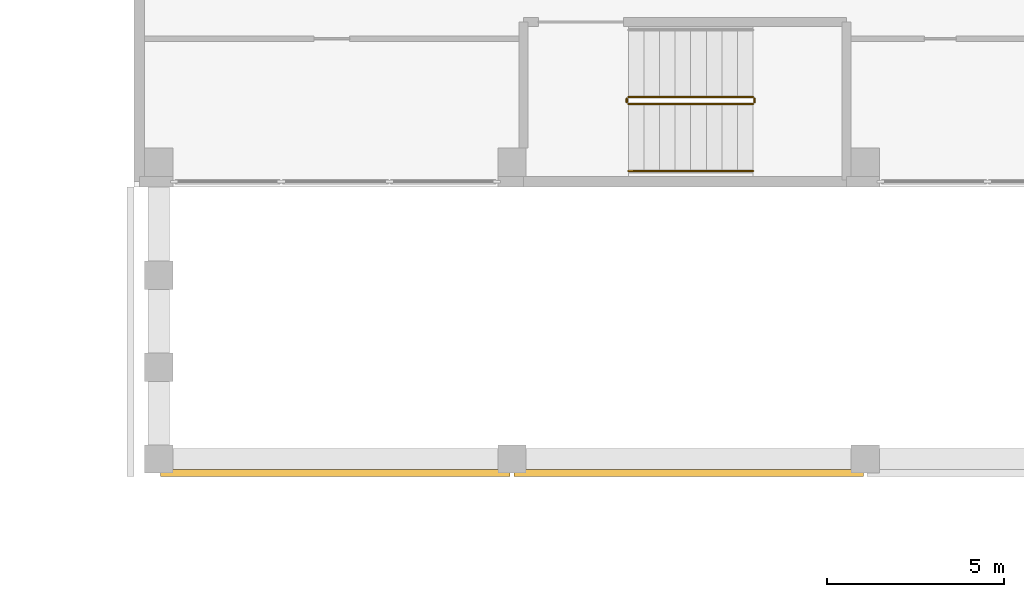
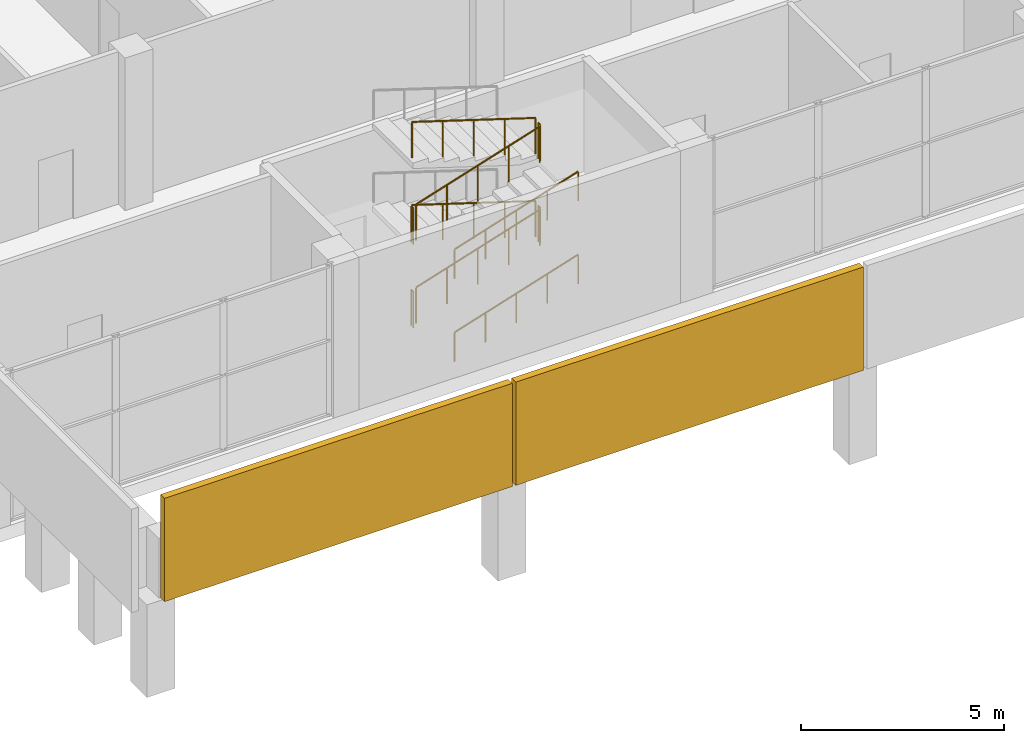
# One storey, part 29 of 36: 10 railings, 2 coverings.
"""IFC4 building model written with IfcOpenShell, lengths in metres."""

from ifc_helpers import new_model, si_unit, direction, frame, origin, origin_2d, place, context, subcontext, project, spatial, rectangle, circle, extrude, material, layer, layer_set, type_object, element, save


model = new_model("IFC4")

# Units and contexts
model_context = context("Model", 3, precision=1e-05, world=origin(), true_north=direction((0.0, 1.0)))
body_context = subcontext(model_context, "Body", "Model", "MODEL_VIEW")
ifc_project = project(units=[si_unit("LENGTHUNIT", "METRE"), si_unit("AREAUNIT", "SQUARE_METRE"), si_unit("VOLUMEUNIT", "CUBIC_METRE"), si_unit("PLANEANGLEUNIT", "RADIAN"), si_unit("MASSUNIT", "GRAM", prefix="KILO")], contexts=[model_context])

# Site, building, storey
site_placement = place(None, origin())
site = spatial("IfcSite", under=ifc_project, at=site_placement, CompositionType="ELEMENT")
building_placement = place(site_placement, origin())
building = spatial("IfcBuilding", under=site, at=building_placement, Name="Jabali Bay Hotel Tower and Convention Centre", CompositionType="ELEMENT")
storey_placement = place(building_placement, frame((0.0, 0.0, 20.39990234375)))
storey = spatial("IfcBuildingStorey", under=building, at=storey_placement, Name="L03", CompositionType="ELEMENT", Elevation=20.39990234375)

# Coverings
ifc_material_1 = material(Name="Precast concrete C40/50", Category="concrete")
ifc_layer = layer(ifc_material_1, 0.199951171875)
ifc_layer_set = layer_set([ifc_layer], Name="Precast concrete C40/50")
covering_type = type_object("IfcCoveringType", Name="CC South roof rim panel", PredefinedType="CLADDING", material=ifc_layer_set)
for number, where, z_axis, x_axis, name in (
    (1, (155.699951171875, 41.199951171875, 2.7900390625), (0.0, 0.0, 1.0), (1.0, 0.0, 0.0), "CC south roof rim 1"),
    (2, (165.699951171875, 41.199951171875, 2.7900390625), (0.0, 0.0, 1.0), (1.0, 0.0, 0.0), "CC south roof rim 2"),
):
    element("IfcCovering", number, at=place(storey_placement, frame(where, z_axis=z_axis, x_axis=x_axis)), inside=storey, type_object=covering_type, Name=name, PredefinedType="CLADDING", context=body_context, shape_type="SweptSolid", body=[
        extrude(rectangle(XDim=9.89990234375, YDim=0.199951171875, at=origin_2d()), origin(), (0.0, 0.0, 1.0), 3.110107421875),
    ])

# Railings
ifc_material_2 = material(Name="Stainless steel 304", Category="steel")
railing_type_1 = type_object("IfcRailingType", Name="CC Stair Guard 1100", PredefinedType="GUARDRAIL", material=ifc_material_2)
railing_1_placement = place(storey_placement, frame((164.0, 51.64990234375, 0.138916015625)))
element("IfcRailing", 3, at=railing_1_placement, inside=storey, type_object=railing_type_1, Name="L03 CC-STS1 stair guard 1", PredefinedType="GUARDRAIL", context=body_context, shape_type="SweptSolid", body=[
    extrude(circle(Radius=0.02392578125, at=origin_2d()), frame((0.0, 0.0, 1.076171875), z_axis=(0.953621642043, 0.0, 0.301007913229), x_axis=(0.0, 1.0, 0.0)), (0.0, 0.0, 1.0), 3.691162109375),
    extrude(circle(Radius=0.02099609375, at=origin_2d()), origin(), (0.0, 0.0, 1.0), 1.052001953125),
    extrude(circle(Radius=0.02099609375, at=origin_2d()), frame((0.8798828125, 0.0, 0.27783203125)), (0.0, 0.0, 1.0), 1.052001953125),
    extrude(circle(Radius=0.02099609375, at=origin_2d()), frame((1.760009765625, 0.0, 0.5556640625)), (0.0, 0.0, 1.0), 1.052001953125),
    extrude(circle(Radius=0.02099609375, at=origin_2d()), frame((2.64013671875, 0.0, 0.833251953125)), (0.0, 0.0, 1.0), 1.052001953125),
    extrude(circle(Radius=0.02099609375, at=origin_2d()), frame((3.52001953125, 0.0, 1.111083984375)), (0.0, 0.0, 1.0), 1.052001953125),
])
railing_2_placement = place(storey_placement, frame((167.570068359375, 51.699951171875, 1.25)))
element("IfcRailing", 4, at=railing_2_placement, inside=storey, type_object=railing_type_1, Name="L03 CC-STS1 stair guard 2", PredefinedType="GUARDRAIL", context=body_context, shape_type="SweptSolid", body=[
    extrude(circle(Radius=0.02392578125, at=origin_2d()), frame((0.0, 0.0, 1.076171875), z_axis=(0.0, 1.0, 0.0), x_axis=(-1.0, 0.0, 0.0)), (0.0, 0.0, 1.0), 0.10009765625),
    extrude(circle(Radius=0.02099609375, at=origin_2d()), origin(), (0.0, 0.0, 1.0), 1.052001953125),
    extrude(circle(Radius=0.02099609375, at=origin_2d()), frame((0.0, 0.10009765625, 0.0)), (0.0, 0.0, 1.0), 1.052001953125),
])
railing_3_placement = place(storey_placement, frame((167.52001953125, 51.85009765625, 1.388916015625)))
element("IfcRailing", 5, at=railing_3_placement, inside=storey, type_object=railing_type_1, Name="L03 CC-STS1 stair guard 3", PredefinedType="GUARDRAIL", context=body_context, shape_type="SweptSolid", body=[
    extrude(circle(Radius=0.02392578125, at=origin_2d()), frame((0.0, 0.0, 1.076171875), z_axis=(-0.953621642043, 0.0, 0.301007913229), x_axis=(0.0, -1.0, 0.0)), (0.0, 0.0, 1.0), 3.691162109375),
    extrude(circle(Radius=0.02099609375, at=origin_2d()), origin(), (0.0, 0.0, 1.0), 1.052001953125),
    extrude(circle(Radius=0.02099609375, at=origin_2d()), frame((-0.8798828125, 0.0, 0.27783203125)), (0.0, 0.0, 1.0), 1.052001953125),
    extrude(circle(Radius=0.02099609375, at=origin_2d()), frame((-1.760009765625, 0.0, 0.5556640625)), (0.0, 0.0, 1.0), 1.052001953125),
    extrude(circle(Radius=0.02099609375, at=origin_2d()), frame((-2.64013671875, 0.0, 0.833251953125)), (0.0, 0.0, 1.0), 1.052001953125),
    extrude(circle(Radius=0.02099609375, at=origin_2d()), frame((-3.52001953125, 0.0, 1.111083984375)), (0.0, 0.0, 1.0), 1.052001953125),
])
railing_4_placement = place(storey_placement, frame((163.949951171875, 51.699951171875, 2.5)))
element("IfcRailing", 6, at=railing_4_placement, inside=storey, type_object=railing_type_1, Name="L03 CC-STS1 stair guard 4", PredefinedType="GUARDRAIL", context=body_context, shape_type="SweptSolid", body=[
    extrude(circle(Radius=0.02392578125, at=origin_2d()), frame((0.0, 0.0, 1.076171875), z_axis=(0.0, 1.0, 0.0), x_axis=(-1.0, 0.0, 0.0)), (0.0, 0.0, 1.0), 0.10009765625),
    extrude(circle(Radius=0.02099609375, at=origin_2d()), origin(), (0.0, 0.0, 1.0), 1.052001953125),
    extrude(circle(Radius=0.02099609375, at=origin_2d()), frame((0.0, 0.10009765625, 0.0)), (0.0, 0.0, 1.0), 1.052001953125),
])
railing_5_placement = place(storey_placement, frame((164.0, 51.64990234375, 2.638916015625)))
element("IfcRailing", 7, at=railing_5_placement, inside=storey, type_object=railing_type_1, Name="L03 CC-STS1 stair guard 5", PredefinedType="GUARDRAIL", context=body_context, shape_type="SweptSolid", body=[
    extrude(circle(Radius=0.02392578125, at=origin_2d()), frame((0.0, 0.0, 1.076171875), z_axis=(0.953621642043, 0.0, 0.301007913229), x_axis=(0.0, 1.0, 0.0)), (0.0, 0.0, 1.0), 3.691162109375),
    extrude(circle(Radius=0.02099609375, at=origin_2d()), origin(), (0.0, 0.0, 1.0), 1.052001953125),
    extrude(circle(Radius=0.02099609375, at=origin_2d()), frame((0.8798828125, 0.0, 0.27783203125)), (0.0, 0.0, 1.0), 1.052001953125),
    extrude(circle(Radius=0.02099609375, at=origin_2d()), frame((1.760009765625, 0.0, 0.5556640625)), (0.0, 0.0, 1.0), 1.052001953125),
    extrude(circle(Radius=0.02099609375, at=origin_2d()), frame((2.64013671875, 0.0, 0.833251953125)), (0.0, 0.0, 1.0), 1.052001953125),
    extrude(circle(Radius=0.02099609375, at=origin_2d()), frame((3.52001953125, 0.0, 1.111083984375)), (0.0, 0.0, 1.0), 1.052001953125),
])
railing_6_placement = place(storey_placement, frame((167.570068359375, 51.699951171875, 3.75)))
element("IfcRailing", 8, at=railing_6_placement, inside=storey, type_object=railing_type_1, Name="L03 CC-STS1 stair guard 6", PredefinedType="GUARDRAIL", context=body_context, shape_type="SweptSolid", body=[
    extrude(circle(Radius=0.02392578125, at=origin_2d()), frame((0.0, 0.0, 1.076171875), z_axis=(0.0, 1.0, 0.0), x_axis=(-1.0, 0.0, 0.0)), (0.0, 0.0, 1.0), 0.10009765625),
    extrude(circle(Radius=0.02099609375, at=origin_2d()), origin(), (0.0, 0.0, 1.0), 1.052001953125),
    extrude(circle(Radius=0.02099609375, at=origin_2d()), frame((0.0, 0.10009765625, 0.0)), (0.0, 0.0, 1.0), 1.052001953125),
])
railing_7_placement = place(storey_placement, frame((167.52001953125, 51.85009765625, 3.888916015625)))
element("IfcRailing", 9, at=railing_7_placement, inside=storey, type_object=railing_type_1, Name="L03 CC-STS1 stair guard 7", PredefinedType="GUARDRAIL", context=body_context, shape_type="SweptSolid", body=[
    extrude(circle(Radius=0.02392578125, at=origin_2d()), frame((0.0, 0.0, 1.076171875), z_axis=(-0.953621642043, 0.0, 0.301007913229), x_axis=(0.0, -1.0, 0.0)), (0.0, 0.0, 1.0), 3.691162109375),
    extrude(circle(Radius=0.02099609375, at=origin_2d()), origin(), (0.0, 0.0, 1.0), 1.052001953125),
    extrude(circle(Radius=0.02099609375, at=origin_2d()), frame((-0.8798828125, 0.0, 0.27783203125)), (0.0, 0.0, 1.0), 1.052001953125),
    extrude(circle(Radius=0.02099609375, at=origin_2d()), frame((-1.760009765625, 0.0, 0.5556640625)), (0.0, 0.0, 1.0), 1.052001953125),
    extrude(circle(Radius=0.02099609375, at=origin_2d()), frame((-2.64013671875, 0.0, 0.833251953125)), (0.0, 0.0, 1.0), 1.052001953125),
    extrude(circle(Radius=0.02099609375, at=origin_2d()), frame((-3.52001953125, 0.0, 1.111083984375)), (0.0, 0.0, 1.0), 1.052001953125),
])
railing_8_placement = place(storey_placement, frame((163.949951171875, 51.699951171875, 0.0)))
element("IfcRailing", 10, at=railing_8_placement, inside=storey, type_object=railing_type_1, Name="L03 CC-STS1 stair guard 8", PredefinedType="GUARDRAIL", context=body_context, shape_type="SweptSolid", body=[
    extrude(circle(Radius=0.02392578125, at=origin_2d()), frame((0.0, 0.0, 1.076171875), z_axis=(0.0, 1.0, 0.0), x_axis=(-1.0, 0.0, 0.0)), (0.0, 0.0, 1.0), 0.10009765625),
    extrude(circle(Radius=0.02099609375, at=origin_2d()), origin(), (0.0, 0.0, 1.0), 1.052001953125),
    extrude(circle(Radius=0.02099609375, at=origin_2d()), frame((0.0, 0.10009765625, 0.0)), (0.0, 0.0, 1.0), 1.052001953125),
])
railing_type_2 = type_object("IfcRailingType", Name="CC Stair Handrail 900", PredefinedType="HANDRAIL", material=ifc_material_2)
for number, where, name in (
    (11, (164.0, 49.75, 0.138916015625), "L03 CC-STS1 stair handrail 1"),
    (12, (164.0, 49.75, 2.638916015625), "L03 CC-STS1 stair handrail 3"),
):
    element("IfcRailing", number, at=place(storey_placement, frame(where)), inside=storey, type_object=railing_type_2, Name=name, PredefinedType="HANDRAIL", context=body_context, shape_type="SweptSolid", body=[
        extrude(circle(Radius=0.02392578125, at=origin_2d()), frame((0.0, 0.0, 0.8759765625), z_axis=(0.953621642043, 0.0, 0.301007913229), x_axis=(0.0, 1.0, 0.0)), (0.0, 0.0, 1.0), 3.691162109375),
        extrude(circle(Radius=0.02099609375, at=origin_2d()), origin(), (0.0, 0.0, 1.0), 0.851806640625),
        extrude(circle(Radius=0.02099609375, at=origin_2d()), frame((0.8798828125, 0.0, 0.27783203125)), (0.0, 0.0, 1.0), 0.851806640625),
        extrude(circle(Radius=0.02099609375, at=origin_2d()), frame((1.760009765625, 0.0, 0.5556640625)), (0.0, 0.0, 1.0), 0.851806640625),
        extrude(circle(Radius=0.02099609375, at=origin_2d()), frame((2.64013671875, 0.0, 0.833251953125)), (0.0, 0.0, 1.0), 0.851806640625),
        extrude(circle(Radius=0.02099609375, at=origin_2d()), frame((3.52001953125, 0.0, 1.111083984375)), (0.0, 0.0, 1.0), 0.851806640625),
    ])

save(model, "model.ifc")
